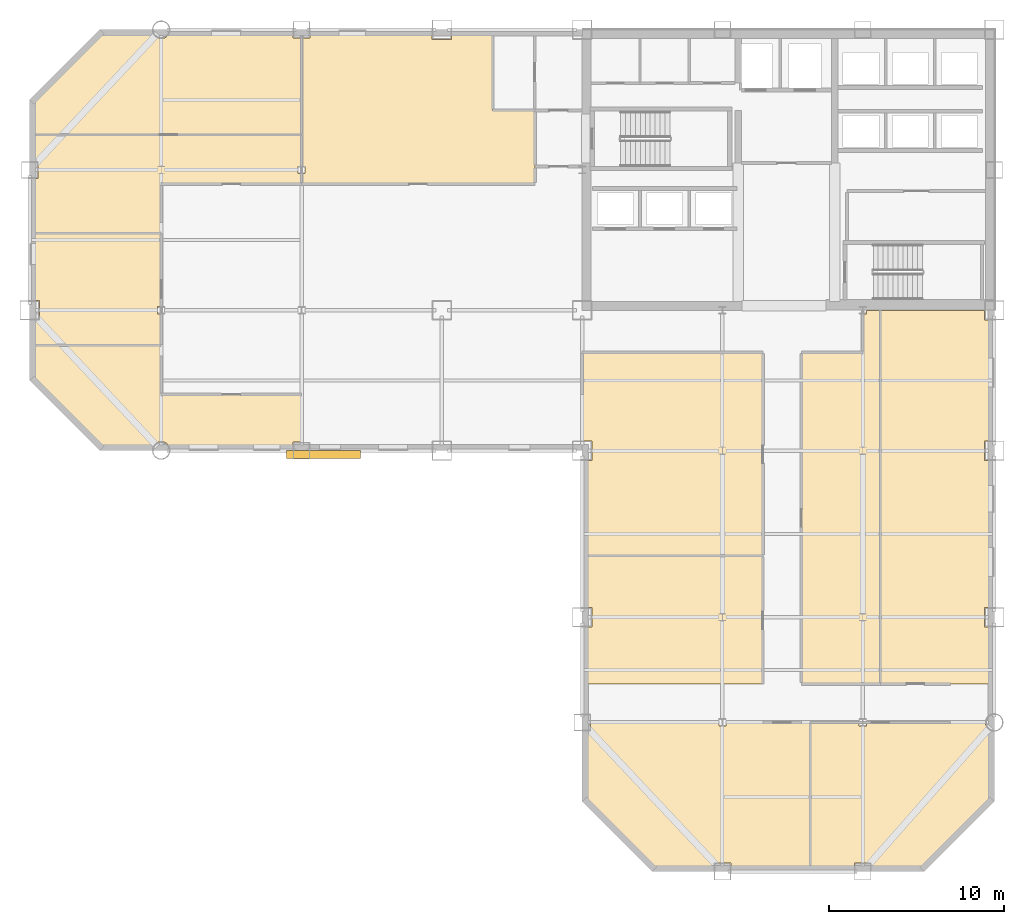
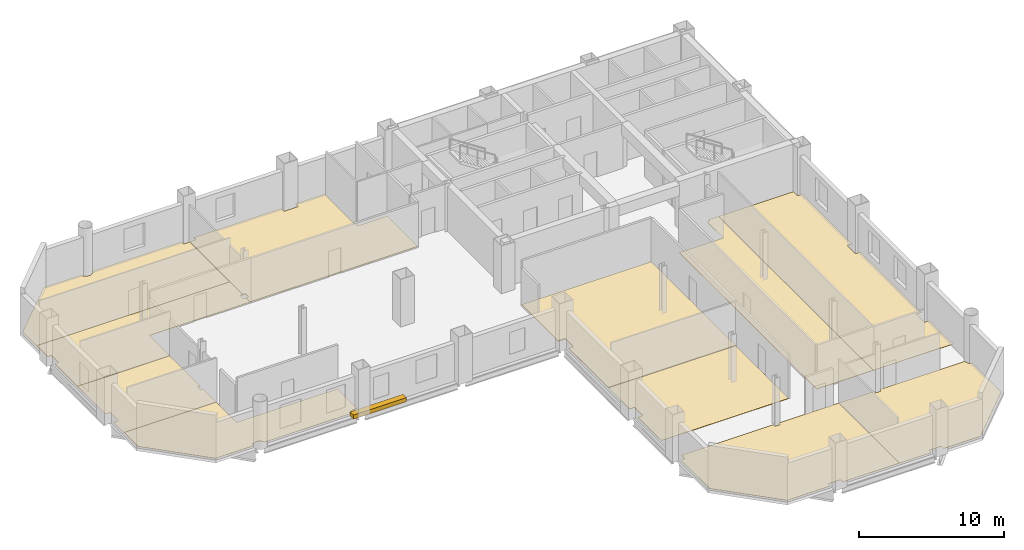
# One storey, part 8 of 9: 11 coverings, 1 shading device.
"""IFC4 building model written with IfcOpenShell, lengths in metres."""

from ifc_helpers import new_model, si_unit, direction, frame, origin, origin_2d, place, context, subcontext, project, spatial, polyline, rectangle, outline, extrude, material, layer, layer_set, type_object, element, save


model = new_model("IFC4")

# Units and contexts
model_context = context("Model", 3, precision=1e-05, world=origin(), true_north=direction((0.0, 1.0)))
body_context = subcontext(model_context, "Body", "Model", "MODEL_VIEW")
ifc_project = project(units=[si_unit("LENGTHUNIT", "METRE"), si_unit("AREAUNIT", "SQUARE_METRE"), si_unit("VOLUMEUNIT", "CUBIC_METRE"), si_unit("PLANEANGLEUNIT", "RADIAN"), si_unit("MASSUNIT", "GRAM", prefix="KILO")], contexts=[model_context])

# Site, building, storey
site_placement = place(None, origin())
site = spatial("IfcSite", under=ifc_project, at=site_placement, CompositionType="ELEMENT")
building_placement = place(site_placement, origin())
building = spatial("IfcBuilding", under=site, at=building_placement, Name="Qianrong Seaharbour Tower", CompositionType="ELEMENT")
storey_placement = place(building_placement, frame((0.0, 0.0, 155.0)))
storey = spatial("IfcBuildingStorey", under=building, at=storey_placement, Name="L37", CompositionType="ELEMENT", Elevation=155.0)

# Coverings
ifc_material_1 = material(Name="Acoustic modular carpet tile flooring")
ifc_layer_1 = layer(ifc_material_1, 0.02001953125)
ifc_layer_set_1 = layer_set([ifc_layer_1], Name="Acoustic modular carpet tile flooring")
covering_type_1 = type_object("IfcCoveringType", Name="COV-FLOOR-CARPET-20", PredefinedType="FLOORING", material=ifc_layer_set_1)
covering_1_placement = place(storey_placement, origin())
element("IfcCovering", 1, at=covering_1_placement, inside=storey, type_object=covering_type_1, Name="L37 Harbour Sunset Lounge 1 Finish Flooring", PredefinedType="FLOORING", context=body_context, shape_type="SweptSolid", body=[
    extrude(outline(polyline([(16.977294921875, 28.175048828125), (16.97119140625, 28.1953125), (16.924072265625, 28.283203125), (16.860595703125, 28.360595703125), (16.783203125, 28.424072265625), (16.6953125, 28.47119140625), (16.599609375, 28.500244140625), (16.5, 28.510009765625), (16.400390625, 28.500244140625), (16.3046875, 28.47119140625), (16.216796875, 28.424072265625), (16.139404296875, 28.360595703125), (16.075927734375, 28.283203125), (16.02880859375, 28.1953125), (16.022705078125, 28.175048828125), (13.072509765625, 28.175048828125), (9.175048828125, 32.072509765625), (9.175048828125, 34.0), (16.5, 34.0), (16.5, 31.199951171875), (24.5, 31.199951171875), (24.5, 28.485107421875), (24.014892578125, 28.485107421875), (24.014892578125, 28.175048828125), (16.977294921875, 28.175048828125)])), origin(), (0.0, 0.0, 1.0), 0.02001953125),
])
covering_2_placement = place(storey_placement, origin())
element("IfcCovering", 2, at=covering_2_placement, inside=storey, type_object=covering_type_1, Name="L37 Barista Coffee Pantry 2 Finish Flooring", PredefinedType="FLOORING", context=body_context, shape_type="SweptSolid", body=[
    extrude(outline(polyline([(9.175048828125, 35.43994140625), (9.56005859375, 35.43994140625), (9.56005859375, 36.56005859375), (9.175048828125, 36.56005859375), (9.175048828125, 40.39990234375), (16.5, 40.39990234375), (16.5, 36.2099609375), (16.2900390625, 36.2099609375), (16.2900390625, 35.7900390625), (16.5, 35.7900390625), (16.5, 34.0), (9.175048828125, 34.0), (9.175048828125, 35.43994140625)])), origin(), (0.0, 0.0, 1.0), 0.02001953125),
])
covering_3_placement = place(storey_placement, origin())
element("IfcCovering", 3, at=covering_3_placement, inside=storey, type_object=covering_type_1, Name="L37 Quiet Sitting Lounge 4 Finish Flooring", PredefinedType="FLOORING", context=body_context, shape_type="SweptSolid", body=[
    extrude(outline(polyline([(9.175048828125, 47.927490234375), (13.072509765625, 51.824951171875), (16.022705078125, 51.824951171875), (16.02880859375, 51.8046875), (16.075927734375, 51.716796875), (16.139404296875, 51.639404296875), (16.216796875, 51.575927734375), (16.3046875, 51.52880859375), (16.400390625, 51.499755859375), (16.5, 51.489990234375), (16.599609375, 51.499755859375), (16.6953125, 51.52880859375), (16.783203125, 51.575927734375), (16.860595703125, 51.639404296875), (16.924072265625, 51.716796875), (16.97119140625, 51.8046875), (16.977294921875, 51.824951171875), (24.014892578125, 51.824951171875), (24.014892578125, 51.514892578125), (24.5, 51.514892578125), (24.5, 46.0), (9.175048828125, 46.0), (9.175048828125, 47.927490234375)])), origin(), (0.0, 0.0, 1.0), 0.02001953125),
])
covering_4_placement = place(storey_placement, origin())
element("IfcCovering", 4, at=covering_4_placement, inside=storey, type_object=covering_type_1, Name="L37 Catering Servery Kitchen 2 Finish Flooring", PredefinedType="FLOORING", context=body_context, shape_type="SweptSolid", body=[
    extrude(outline(polyline([(63.43994140625, 36.0), (63.43994140625, 35.43994140625), (63.824951171875, 35.43994140625), (63.824951171875, 28.56005859375), (63.43994140625, 28.56005859375), (63.43994140625, 27.43994140625), (63.824951171875, 27.43994140625), (63.824951171875, 19.06005859375), (63.43994140625, 19.06005859375), (63.43994140625, 17.93994140625), (63.824951171875, 17.93994140625), (63.824951171875, 14.699951171875), (57.5, 14.699951171875), (57.5, 36.0), (63.43994140625, 36.0)])), origin(), (0.0, 0.0, 1.0), 0.02001953125),
])
covering_5_placement = place(storey_placement, origin())
element("IfcCovering", 5, at=covering_5_placement, inside=storey, type_object=covering_type_1, Name="L37 Wet Pantry 1 Finish Flooring", PredefinedType="FLOORING", context=body_context, shape_type="SweptSolid", body=[
    extrude(outline(polyline([(40.675048828125, 14.699951171875), (40.675048828125, 17.93994140625), (41.06005859375, 17.93994140625), (41.06005859375, 19.06005859375), (40.675048828125, 19.06005859375), (40.675048828125, 22.0), (50.800048828125, 22.0), (50.800048828125, 14.699951171875), (40.675048828125, 14.699951171875)])), origin(), (0.0, 0.0, 1.0), 0.02001953125),
])
covering_6_placement = place(storey_placement, origin())
element("IfcCovering", 6, at=covering_6_placement, inside=storey, type_object=covering_type_1, Name="L37 South View Lounge 1 Finish Flooring", PredefinedType="FLOORING", context=body_context, shape_type="SweptSolid", body=[
    extrude(outline(polyline([(48.985107421875, 4.175048828125), (48.985107421875, 4.485107421875), (48.014892578125, 4.485107421875), (48.014892578125, 4.175048828125), (44.572509765625, 4.175048828125), (40.675048828125, 8.072509765625), (40.675048828125, 12.014892578125), (40.985107421875, 12.014892578125), (40.985107421875, 12.5), (48.2900390625, 12.5), (48.2900390625, 12.2900390625), (48.7099609375, 12.2900390625), (48.7099609375, 12.5), (53.5, 12.5), (53.5, 4.175048828125), (48.985107421875, 4.175048828125)])), origin(), (0.0, 0.0, 1.0), 0.02001953125),
])
covering_7_placement = place(storey_placement, origin())
element("IfcCovering", 7, at=covering_7_placement, inside=storey, type_object=covering_type_1, Name="L37 Tea Servery Pantry 2 Finish Flooring", PredefinedType="FLOORING", context=body_context, shape_type="SweptSolid", body=[
    extrude(outline(polyline([(63.824951171875, 8.072509765625), (59.927490234375, 4.175048828125), (56.985107421875, 4.175048828125), (56.985107421875, 4.485107421875), (56.014892578125, 4.485107421875), (56.014892578125, 4.175048828125), (53.5, 4.175048828125), (53.5, 12.5), (56.2900390625, 12.5), (56.2900390625, 12.2900390625), (56.7099609375, 12.2900390625), (56.7099609375, 12.5), (63.489990234375, 12.5), (63.499755859375, 12.400390625), (63.52880859375, 12.3046875), (63.575927734375, 12.216796875), (63.639404296875, 12.139404296875), (63.716796875, 12.075927734375), (63.8046875, 12.02880859375), (63.824951171875, 12.022705078125), (63.824951171875, 8.072509765625)])), origin(), (0.0, 0.0, 1.0), 0.02001953125),
])
ifc_material_2 = material(Name="Honed granite stone flooring", Category="masonry")
ifc_layer_2 = layer(ifc_material_2, 0.030029296875)
ifc_layer_set_2 = layer_set([ifc_layer_2], Name="Honed granite stone flooring")
covering_type_2 = type_object("IfcCoveringType", Name="COV-FLOOR-GRANITE-30", PredefinedType="FLOORING", material=ifc_layer_set_2)
covering_8_placement = place(storey_placement, origin())
element("IfcCovering", 8, at=covering_8_placement, inside=storey, type_object=covering_type_2, Name="L37 Hospitality Dining Room 3 Finish Flooring", PredefinedType="FLOORING", context=body_context, shape_type="SweptSolid", body=[
    extrude(outline(polyline([(16.5, 43.199951171875), (16.5, 40.39990234375), (9.175048828125, 40.39990234375), (9.175048828125, 43.514892578125), (9.485107421875, 43.514892578125), (9.485107421875, 44.485107421875), (9.175048828125, 44.485107421875), (9.175048828125, 46.0), (24.5, 46.0), (24.5, 44.2099609375), (24.2900390625, 44.2099609375), (24.2900390625, 43.7900390625), (24.5, 43.7900390625), (24.5, 43.199951171875), (16.5, 43.199951171875)])), origin(), (0.0, 0.0, 1.0), 0.030029296875),
])
covering_9_placement = place(storey_placement, origin())
element("IfcCovering", 9, at=covering_9_placement, inside=storey, type_object=covering_type_2, Name="L37 East Harbour Dining Salon 1 Finish Flooring", PredefinedType="FLOORING", context=body_context, shape_type="SweptSolid", body=[
    extrude(outline(polyline([(56.5, 33.60009765625), (56.5, 35.7900390625), (56.7099609375, 35.7900390625), (56.7099609375, 36.0), (57.5, 36.0), (57.5, 14.699951171875), (53.0, 14.699951171875), (53.0, 33.60009765625), (56.5, 33.60009765625)])), origin(), (0.0, 0.0, 1.0), 0.030029296875),
])
ifc_material_3 = material(Name="Calcium-sulphate raised access floor tile")
ifc_layer_3 = layer(ifc_material_3, 0.044921875)
ifc_layer_set_3 = layer_set([ifc_layer_3], Name="Calcium-sulphate raised access floor tile")
covering_type_3 = type_object("IfcCoveringType", Name="COV-FLOOR-RAISED-45", PredefinedType="FLOORING", material=ifc_layer_set_3)
covering_10_placement = place(storey_placement, origin())
element("IfcCovering", 10, at=covering_10_placement, inside=storey, type_object=covering_type_3, Name="L37 Central Spine Open-Plan Office Finish Flooring", PredefinedType="FLOORING", context=body_context, shape_type="SweptSolid", body=[
    extrude(outline(polyline([(31.93994140625, 51.824951171875), (31.93994140625, 51.43994140625), (33.06005859375, 51.43994140625), (33.06005859375, 51.824951171875), (35.39990234375, 51.824951171875), (35.39990234375, 47.39990234375), (37.800048828125, 47.39990234375), (37.800048828125, 43.199951171875), (24.5, 43.199951171875), (24.5, 43.7900390625), (24.7099609375, 43.7900390625), (24.7099609375, 44.2099609375), (24.5, 44.2099609375), (24.5, 51.514892578125), (24.985107421875, 51.514892578125), (24.985107421875, 51.824951171875), (31.93994140625, 51.824951171875)])), origin(), (0.0, 0.0, 1.0), 0.044921875),
])
covering_11_placement = place(storey_placement, origin())
element("IfcCovering", 11, at=covering_11_placement, inside=storey, type_object=covering_type_3, Name="L37 Concierge Office 2 Finish Flooring", PredefinedType="FLOORING", context=body_context, shape_type="SweptSolid", body=[
    extrude(outline(polyline([(50.800048828125, 22.0), (40.675048828125, 22.0), (40.675048828125, 27.43994140625), (41.06005859375, 27.43994140625), (41.06005859375, 28.56005859375), (40.5, 28.56005859375), (40.5, 33.60009765625), (50.800048828125, 33.60009765625), (50.800048828125, 22.0)])), origin(), (0.0, 0.0, 1.0), 0.044921875),
])

# Shading device
ifc_material_4 = material(Name="White architectural precast concrete C45/55", Category="concrete")
shading_device_type = type_object("IfcShadingDeviceType", Name="SHD-SUNSHADE-WHITE-320", PredefinedType="AWNING", material=ifc_material_4)
shading_device_placement = place(storey_placement, frame((25.75, 27.780029296875, -0.02001953125), z_axis=(0.0, 0.0, 1.0), x_axis=(1.0, 0.0, 0.0)))
element("IfcShadingDevice", 12, at=shading_device_placement, inside=storey, type_object=shading_device_type, Name="L37 Climbing White Precast Ribbon Canopy Fin", PredefinedType="AWNING", context=body_context, shape_type="SweptSolid", body=[
    extrude(rectangle(XDim=4.199951171875, YDim=0.4599609375, at=origin_2d()), origin(), (0.0, 0.0, 1.0), 0.340087890625),
])

save(model, "model.ifc")
